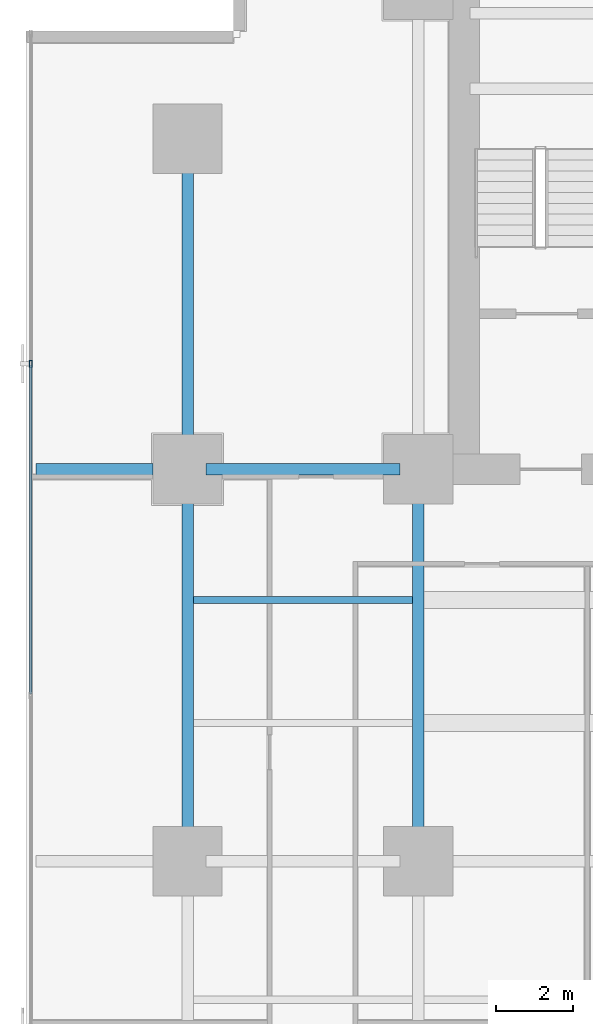
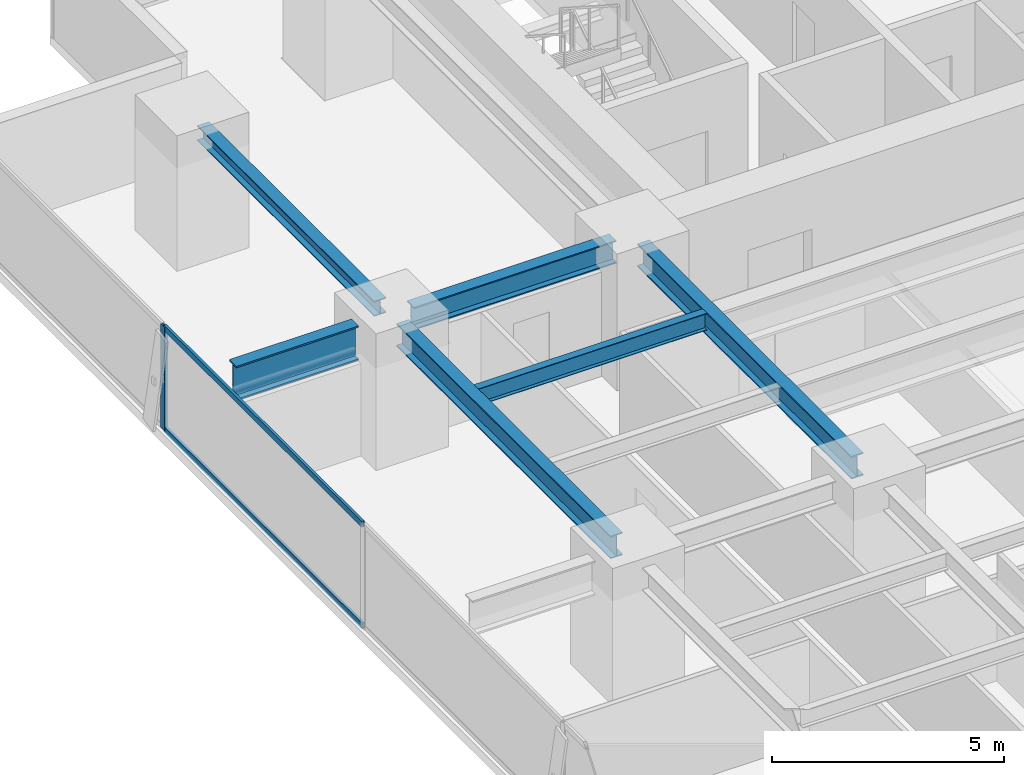
# One storey, part 16 of 33: 6 beams, 3 members, 1 element without a shape of its own.
"""IFC4 building model written with IfcOpenShell, lengths in metres."""

from ifc_helpers import new_model, si_unit, direction, frame, origin, origin_2d, place, context, subcontext, project, spatial, hollow_rectangle, i_section, extrude, source, transform, mapped, material, layer, layer_set, material_profile, profile_set, type_object, element, aggregate, save


model = new_model("IFC4")

# Units and contexts
model_context = context("Model", 3, precision=1e-05, world=origin(), true_north=direction((0.0, 1.0)))
body_context = subcontext(model_context, "Body", "Model", "MODEL_VIEW")
ifc_project = project(units=[si_unit("LENGTHUNIT", "METRE"), si_unit("AREAUNIT", "SQUARE_METRE"), si_unit("VOLUMEUNIT", "CUBIC_METRE"), si_unit("PLANEANGLEUNIT", "RADIAN"), si_unit("MASSUNIT", "GRAM", prefix="KILO")], contexts=[model_context])

# Site, building, storey
site_placement = place(None, origin())
site = spatial("IfcSite", under=ifc_project, at=site_placement, CompositionType="ELEMENT")
building_placement = place(site_placement, origin())
building = spatial("IfcBuilding", under=site, at=building_placement, Name="Sumidabori Civic Tower", CompositionType="ELEMENT")
storey_placement = place(building_placement, frame((0.0, 0.0, 23.60009765625)))
storey = spatial("IfcBuildingStorey", under=building, at=storey_placement, Name="L05", CompositionType="ELEMENT", Elevation=23.60009765625)

# Beams
ifc_material_1 = material(Name="Steel SN490", Category="steel")
ifc_material_profile_1 = material_profile(ifc_material_1, i_section(OverallWidth=0.300048828125, OverallDepth=0.60009765625, WebThickness=0.015380859375, FlangeThickness=0.030029296875, at=origin_2d()), Name="HE 600 B")
ifc_profile_set_1 = profile_set([ifc_material_profile_1], Name="Steel SN490")
beam_type_1 = type_object("IfcBeamType", Name="BM-GIRD-600", PredefinedType="BEAM", material=ifc_profile_set_1)
shared_shape_1 = source(origin(), body_context, "Body", "SweptSolid", [
    extrude(i_section(OverallWidth=0.300048828125, OverallDepth=0.60009765625, WebThickness=0.015380859375, FlangeThickness=0.030029296875, at=origin_2d()), origin(), (0.0, 0.0, 1.0), 5.0400390625),
])
beam_1_placement = place(storey_placement, frame((-22.320068359375, 10.199951171875, 3.059814453125), z_axis=(1.0, 0.0, 0.0), x_axis=(0.0, 1.0, 0.0)))
element("IfcBeam", 1, at=beam_1_placement, inside=storey, type_object=beam_type_1, Name="Primary Girder L05 GX-19", PredefinedType="BEAM", context=body_context, shape_type="MappedRepresentation", body=[
    mapped(shared_shape_1, transform((0.0, 0.0, 0.0), x_axis=(1.0, 0.0, 0.0), y_axis=(0.0, 1.0, 0.0), z_axis=(0.0, 0.0, 1.0), scale=1.0)),
])
shared_shape_2 = source(origin(), body_context, "Body", "SweptSolid", [
    extrude(i_section(OverallWidth=0.300048828125, OverallDepth=0.60009765625, WebThickness=0.015380859375, FlangeThickness=0.030029296875, at=origin_2d()), origin(), (0.0, 0.0, 1.0), 9.239990234375),
])
for number, where, z_axis, x_axis, name in (
    (2, (-22.800048828125, 0.47998046875, 3.059814453125), (0.0, 1.0, 0.0), (-1.0, 0.0, 0.0), "Primary Girder L05 GY-23"),
    (3, (-16.800048828125, 0.47998046875, 3.059814453125), (0.0, 1.0, 0.0), (-1.0, 0.0, 0.0), "Primary Girder L05 GY-27"),
):
    element("IfcBeam", number, at=place(storey_placement, frame(where, z_axis=z_axis, x_axis=x_axis)), inside=storey, type_object=beam_type_1, Name=name, PredefinedType="BEAM", context=body_context, shape_type="MappedRepresentation", body=[
        mapped(shared_shape_2, transform((0.0, 0.0, 0.0), x_axis=(1.0, 0.0, 0.0), y_axis=(0.0, 1.0, 0.0), z_axis=(0.0, 0.0, 1.0), scale=1.0)),
    ])
ifc_material_profile_2 = material_profile(ifc_material_1, i_section(OverallWidth=0.300048828125, OverallDepth=0.39990234375, WebThickness=0.013427734375, FlangeThickness=0.02392578125, at=origin_2d()), Name="HE 400 B")
ifc_profile_set_2 = profile_set([ifc_material_profile_2], Name="Steel SN490")
beam_type_2 = type_object("IfcBeamType", Name="BM-GIRD-400", PredefinedType="BEAM", material=ifc_profile_set_2)
shared_shape_3 = source(origin(), body_context, "Body", "SweptSolid", [
    extrude(i_section(OverallWidth=0.300048828125, OverallDepth=0.39990234375, WebThickness=0.013427734375, FlangeThickness=0.02392578125, at=origin_2d()), origin(), (0.0, 0.0, 1.0), 7.64013671875),
])
beam_2_placement = place(storey_placement, frame((-22.800048828125, 10.679931640625, 3.159912109375), z_axis=(0.0, 1.0, 0.0), x_axis=(-1.0, 0.0, 0.0)))
element("IfcBeam", 4, at=beam_2_placement, inside=storey, type_object=beam_type_2, Name="Primary Girder L05 GY-24", PredefinedType="BEAM", context=body_context, shape_type="MappedRepresentation", body=[
    mapped(shared_shape_3, transform((0.0, 0.0, 0.0), x_axis=(1.0, 0.0, 0.0), y_axis=(0.0, 1.0, 0.0), z_axis=(0.0, 0.0, 1.0), scale=1.0)),
])
ifc_material_profile_3 = material_profile(ifc_material_1, i_section(OverallWidth=0.302001953125, OverallDepth=0.909912109375, WebThickness=0.02099609375, FlangeThickness=0.0400390625, at=origin_2d()), Name="HE 900 M")
ifc_profile_set_3 = profile_set([ifc_material_profile_3], Name="Steel SN490")
beam_type_3 = type_object("IfcBeamType", Name="BM-Z1-EDGE", PredefinedType="SPANDREL", material=ifc_profile_set_3)
shared_shape_4 = source(origin(), body_context, "Body", "SweptSolid", [
    extrude(i_section(OverallWidth=0.302001953125, OverallDepth=0.909912109375, WebThickness=0.02099609375, FlangeThickness=0.0400390625, at=origin_2d()), origin(), (0.0, 0.0, 1.0), 3.050048828125),
])
beam_3_placement = place(storey_placement, frame((-26.75, 10.199951171875, 2.90478515625), z_axis=(1.0, 0.0, 0.0), x_axis=(0.0, 1.0, 0.0)))
element("IfcBeam", 5, at=beam_3_placement, inside=storey, type_object=beam_type_3, Name="Perimeter Overhang Beam L05 W-48", PredefinedType="SPANDREL", context=body_context, shape_type="MappedRepresentation", body=[
    mapped(shared_shape_4, transform((0.0, 0.0, 0.0), x_axis=(1.0, 0.0, 0.0), y_axis=(0.0, 1.0, 0.0), z_axis=(0.0, 0.0, 1.0), scale=1.0)),
])
ifc_material_profile_4 = material_profile(ifc_material_1, i_section(OverallWidth=0.18994140625, OverallDepth=0.449951171875, WebThickness=0.009521484375, FlangeThickness=0.0146484375, at=origin_2d()), Name="IPE 450")
ifc_profile_set_4 = profile_set([ifc_material_profile_4], Name="Steel SN490")
beam_type_4 = type_object("IfcBeamType", Name="BM-JST-450", PredefinedType="JOIST", material=ifc_profile_set_4)
shared_shape_5 = source(origin(), body_context, "Body", "SweptSolid", [
    extrude(i_section(OverallWidth=0.18994140625, OverallDepth=0.449951171875, WebThickness=0.009521484375, FlangeThickness=0.0146484375, at=origin_2d()), origin(), (0.0, 0.0, 1.0), 5.699951171875),
])
beam_4_placement = place(storey_placement, frame((-22.64990234375, 6.800048828125, 3.135009765625), z_axis=(1.0, 0.0, 0.0), x_axis=(0.0, 1.0, 0.0)))
element("IfcBeam", 6, at=beam_4_placement, inside=storey, type_object=beam_type_4, Name="Outer Bay Floor Joist L05 JSTO-55", PredefinedType="JOIST", context=body_context, shape_type="MappedRepresentation", body=[
    mapped(shared_shape_5, transform((0.0, 0.0, 0.0), x_axis=(1.0, 0.0, 0.0), y_axis=(0.0, 1.0, 0.0), z_axis=(0.0, 0.0, 1.0), scale=1.0)),
])

# Curtain wall, members
ifc_material_2 = material(Name="Anodised Bronze Aluminium AW-6063-T6", Category="aluminium")
ifc_layer = layer(ifc_material_2, 0.179931640625, Name="Anodised Bronze Aluminium AW-6063-T6")
ifc_layer_set = layer_set([ifc_layer], Name="Anodised Bronze Aluminium AW-6063-T6")
curtain_wall_type = type_object("IfcCurtainWallType", Name="CW-SYS-2", PredefinedType="NOTDEFINED", material=ifc_layer_set)
curtain_wall_placement = place(storey_placement, origin())
curtain_wall = element("IfcCurtainWall", 7, at=curtain_wall_placement, inside=storey, type_object=curtain_wall_type, Name="Curtain Wall CW:L05:R11", PredefinedType="NOTDEFINED")
ifc_material_profile_5 = material_profile(ifc_material_2, hollow_rectangle(XDim=0.070068359375, YDim=0.179931640625, WallThickness=0.006103515625, at=origin_2d()), Name="ALU MULLION 180x70")
ifc_profile_set_5 = profile_set([ifc_material_profile_5], Name="Anodised Bronze Aluminium AW-6063-T6")
member_type_1 = type_object("IfcMemberType", Name="CW-MUL-180", PredefinedType="MULLION", material=ifc_profile_set_5)
shared_shape_6 = source(origin(), body_context, "Body", "SweptSolid", [
    extrude(hollow_rectangle(XDim=0.070068359375, YDim=0.179931640625, WallThickness=0.006103515625, at=origin_2d()), origin(), (0.0, 0.0, 1.0), 2.739990234375),
])
member_1_placement = place(storey_placement, frame((-26.8798828125, 12.94189453125, 0.0), z_axis=(0.0, 0.0, 1.0), x_axis=(1.0, 0.0, 0.0)))
member_1 = element("IfcMember", 8, at=member_1_placement, type_object=member_type_1, Name="CW-2 mullion 2", PredefinedType="MULLION", context=body_context, shape_type="MappedRepresentation", body=[
    mapped(shared_shape_6, transform((0.0, 0.0, 0.0), x_axis=(1.0, 0.0, 0.0), y_axis=(0.0, 1.0, 0.0), z_axis=(0.0, 0.0, 1.0), scale=1.0)),
])
ifc_material_profile_6 = material_profile(ifc_material_2, hollow_rectangle(XDim=0.06494140625, YDim=0.14990234375, WallThickness=0.0048828125, at=origin_2d()), Name="ALU TRANSOM 150x65")
ifc_profile_set_6 = profile_set([ifc_material_profile_6], Name="Anodised Bronze Aluminium AW-6063-T6")
member_type_2 = type_object("IfcMemberType", Name="CW-TRN-150", PredefinedType="USERDEFINED", material=ifc_profile_set_6)
shared_shape_7 = source(origin(), body_context, "Body", "SweptSolid", [
    extrude(hollow_rectangle(XDim=0.06494140625, YDim=0.14990234375, WallThickness=0.0048828125, at=origin_2d()), origin(), (0.0, 0.0, 1.0), 8.557861328125),
])
member_2_placement = place(storey_placement, frame((-26.8798828125, 12.906982421875, 0.032470703125), z_axis=(0.0, -1.0, 0.0), x_axis=(1.0, 0.0, 0.0)))
member_2 = element("IfcMember", 9, at=member_2_placement, type_object=member_type_2, Name="CW-2 transom 2.1", ObjectType="TRANSOM", PredefinedType="USERDEFINED", context=body_context, shape_type="MappedRepresentation", body=[
    mapped(shared_shape_7, transform((0.0, 0.0, 0.0), x_axis=(1.0, 0.0, 0.0), y_axis=(0.0, 1.0, 0.0), z_axis=(0.0, 0.0, 1.0), scale=1.0)),
])
member_3_placement = place(storey_placement, frame((-26.8798828125, 12.906982421875, 2.70751953125), z_axis=(0.0, -1.0, 0.0), x_axis=(1.0, 0.0, 0.0)))
member_3 = element("IfcMember", 10, at=member_3_placement, type_object=member_type_2, Name="CW-2 transom 2.2", ObjectType="TRANSOM", PredefinedType="USERDEFINED", context=body_context, shape_type="MappedRepresentation", body=[
    mapped(shared_shape_7, transform((0.0, 0.0, 0.0), x_axis=(1.0, 0.0, 0.0), y_axis=(0.0, 1.0, 0.0), z_axis=(0.0, 0.0, 1.0), scale=1.0)),
])
aggregate(curtain_wall, [member_1, member_2, member_3])

save(model, "model.ifc")
